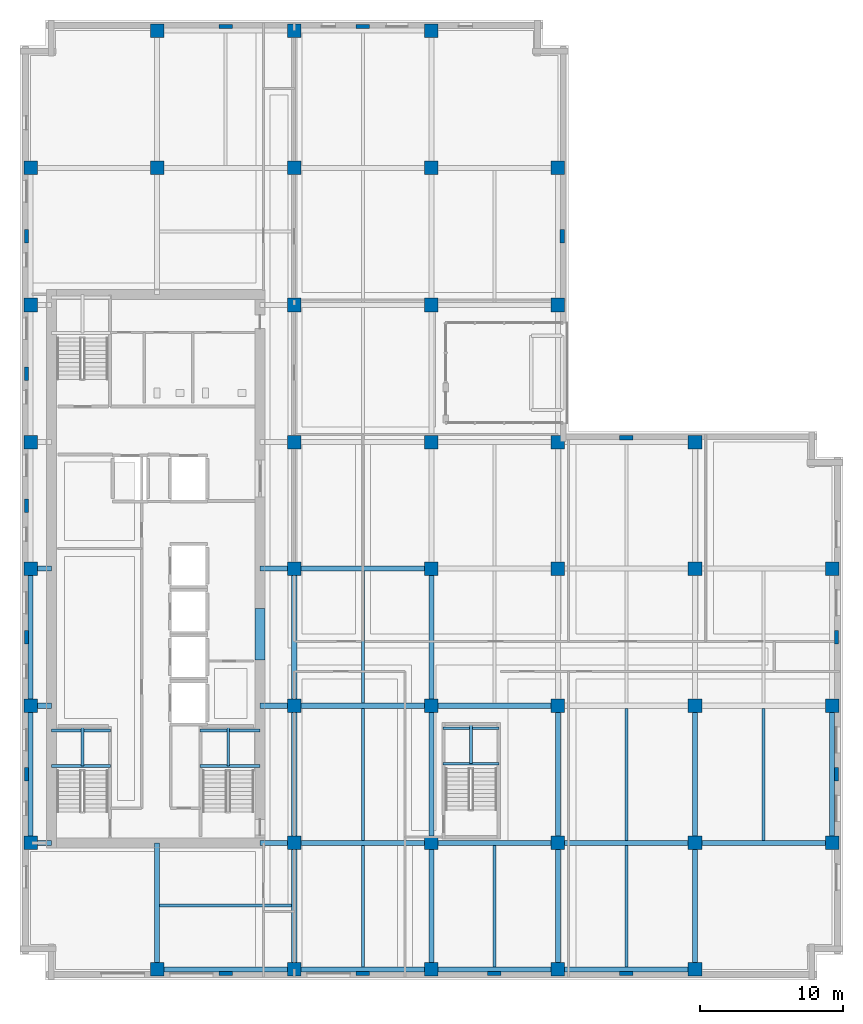
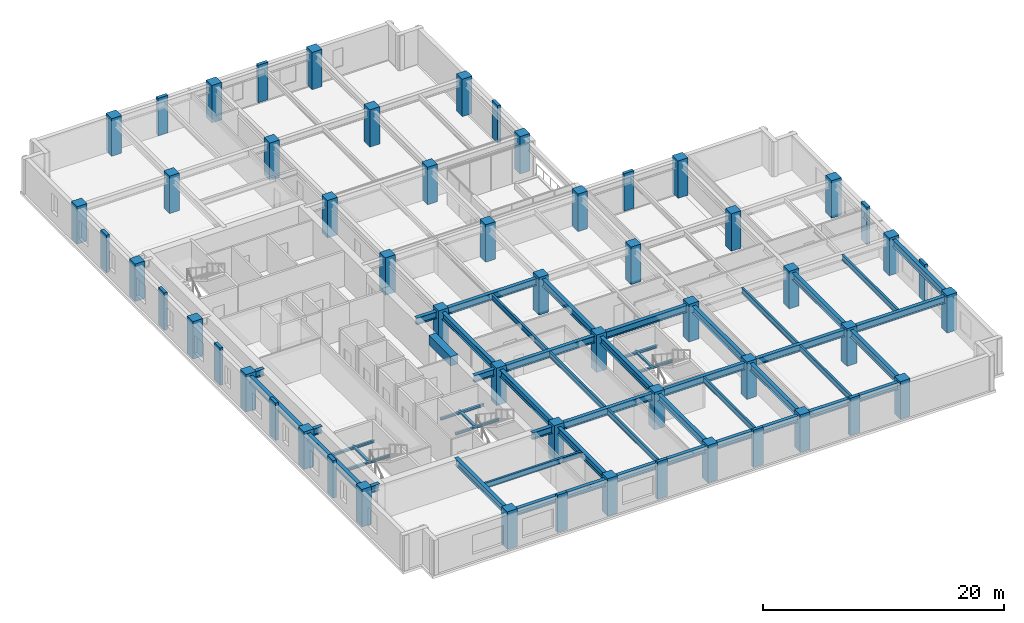
# One storey, part 1 of 16: 55 columns, 49 beams.
"""IFC4 building model written with IfcOpenShell, lengths in metres."""

from ifc_helpers import new_model, si_unit, direction, frame, origin, origin_2d, place, context, subcontext, project, spatial, rectangle, i_section, extrude, material, material_profile, profile_set, type_object, element, save


model = new_model("IFC4")

# Units and contexts
model_context = context("Model", 3, precision=1e-05, world=origin(), true_north=direction((0.0, 1.0)))
body_context = subcontext(model_context, "Body", "Model", "MODEL_VIEW")
ifc_project = project(units=[si_unit("LENGTHUNIT", "METRE"), si_unit("AREAUNIT", "SQUARE_METRE"), si_unit("VOLUMEUNIT", "CUBIC_METRE"), si_unit("PLANEANGLEUNIT", "RADIAN"), si_unit("MASSUNIT", "GRAM", prefix="KILO")], contexts=[model_context])

# Site, building, storey
site_placement = place(None, origin())
site = spatial("IfcSite", under=ifc_project, at=site_placement, CompositionType="ELEMENT")
building_placement = place(site_placement, origin())
building = spatial("IfcBuilding", under=site, at=building_placement, Name="Norrvale University Quadrangle", CompositionType="ELEMENT")
storey_placement = place(building_placement, frame((0.0, 0.0, 167.39990234375)))
storey = spatial("IfcBuildingStorey", under=building, at=storey_placement, Name="L42", CompositionType="ELEMENT", Elevation=167.39990234375)

# Columns
ifc_material_1 = material(Name="Red Manganese Brick Concrete C60/75", Category="concrete")
ifc_material_profile_1 = material_profile(ifc_material_1, rectangle(XDim=0.949951171875, YDim=0.300048828125, at=origin_2d()), Name="Red Manganese Brick Concrete C60/75")
ifc_profile_set_1 = profile_set([ifc_material_profile_1], Name="Red Manganese Brick Concrete C60/75")
column_type_1 = type_object("IfcColumnType", Name="Column Brick Pier 950x300", PredefinedType="PILASTER", material=ifc_profile_set_1)
for number, where, z_axis, x_axis, name in (
    (1, (0.449951171875, 14.39990234375, 0.0), (0.0, 0.0, 1.0), (0.0, 1.0, 0.0), "Exterior Brick Facade Pilaster L42-01"),
    (2, (0.449951171875, 24.0, 0.0), (0.0, 0.0, 1.0), (0.0, 1.0, 0.0), "Exterior Brick Facade Pilaster L42-02"),
    (3, (0.449951171875, 33.199951171875, 0.0), (0.0, 0.0, 1.0), (0.0, 1.0, 0.0), "Exterior Brick Facade Pilaster L42-03"),
    (4, (0.449951171875, 42.449951171875, 0.0), (0.0, 0.0, 1.0), (0.0, 1.0, 0.0), "Exterior Brick Facade Pilaster L42-04"),
    (5, (0.449951171875, 52.050048828125, 0.0), (0.0, 0.0, 1.0), (0.0, 1.0, 0.0), "Exterior Brick Facade Pilaster L42-05"),
    (6, (14.39990234375, 0.449951171875, 0.0), (0.0, 0.0, 1.0), (1.0, 0.0, 0.0), "Exterior Brick Facade Pilaster L42-06"),
    (7, (24.0, 0.449951171875, 0.0), (0.0, 0.0, 1.0), (1.0, 0.0, 0.0), "Exterior Brick Facade Pilaster L42-07"),
    (8, (33.199951171875, 0.449951171875, 0.0), (0.0, 0.0, 1.0), (1.0, 0.0, 0.0), "Exterior Brick Facade Pilaster L42-08"),
    (9, (42.449951171875, 0.449951171875, 0.0), (0.0, 0.0, 1.0), (1.0, 0.0, 0.0), "Exterior Brick Facade Pilaster L42-09"),
    (10, (57.14990234375, 14.39990234375, 0.0), (0.0, 0.0, 1.0), (0.0, 1.0, 0.0), "Exterior Brick Facade Pilaster L42-10"),
    (11, (57.14990234375, 24.0, 0.0), (0.0, 0.0, 1.0), (0.0, 1.0, 0.0), "Exterior Brick Facade Pilaster L42-11"),
    (12, (14.39990234375, 66.75, 0.0), (0.0, 0.0, 1.0), (1.0, 0.0, 0.0), "Exterior Brick Facade Pilaster L42-12"),
    (13, (24.0, 66.75, 0.0), (0.0, 0.0, 1.0), (1.0, 0.0, 0.0), "Exterior Brick Facade Pilaster L42-13"),
    (14, (37.949951171875, 52.050048828125, 0.0), (0.0, 0.0, 1.0), (0.0, 1.0, 0.0), "Exterior Brick Facade Pilaster L42-14"),
    (15, (42.449951171875, 37.949951171875, 0.0), (0.0, 0.0, 1.0), (1.0, 0.0, 0.0), "Exterior Brick Facade Pilaster L42-15"),
):
    element("IfcColumn", number, at=place(storey_placement, frame(where, z_axis=z_axis, x_axis=x_axis)), inside=storey, type_object=column_type_1, Name=name, PredefinedType="PILASTER", context=body_context, shape_type="SweptSolid", body=[
        extrude(rectangle(XDim=0.949951171875, YDim=0.300048828125, at=origin_2d()), origin(), (0.0, 0.0, 1.0), 3.800048828125),
    ])
ifc_material_2 = material(Name="Concrete C60/75", Category="concrete")
ifc_material_profile_2 = material_profile(ifc_material_2, rectangle(XDim=0.949951171875, YDim=0.949951171875, at=origin_2d()), Name="Concrete C60/75")
ifc_profile_set_2 = profile_set([ifc_material_profile_2], Name="Concrete C60/75")
column_type_2 = type_object("IfcColumnType", Name="Column Tower Z2 950x950", PredefinedType="COLUMN", material=ifc_profile_set_2)
for number, where, z_axis, x_axis, name in (
    (16, (0.75, 9.60009765625, 0.0), (0.0, 0.0, 1.0), (1.0, 0.0, 0.0), "Tower Column L42-T01"),
    (17, (0.75, 19.199951171875, 0.0), (0.0, 0.0, 1.0), (1.0, 0.0, 0.0), "Tower Column L42-T02"),
    (18, (0.75, 28.800048828125, 0.0), (0.0, 0.0, 1.0), (1.0, 0.0, 0.0), "Tower Column L42-T03"),
    (19, (0.75, 37.64990234375, 0.0), (0.0, 0.0, 1.0), (1.0, 0.0, 0.0), "Tower Column L42-T04"),
    (20, (0.75, 47.25, 0.0), (0.0, 0.0, 1.0), (1.0, 0.0, 0.0), "Tower Column L42-T05"),
    (21, (0.75, 56.85009765625, 0.0), (0.0, 0.0, 1.0), (1.0, 0.0, 0.0), "Tower Column L42-T06"),
    (22, (9.60009765625, 0.75, 0.0), (0.0, 0.0, 1.0), (1.0, 0.0, 0.0), "Tower Column L42-T07"),
    (23, (9.60009765625, 56.85009765625, 0.0), (0.0, 0.0, 1.0), (1.0, 0.0, 0.0), "Tower Column L42-T08"),
    (24, (9.60009765625, 66.449951171875, 0.0), (0.0, 0.0, 1.0), (1.0, 0.0, 0.0), "Tower Column L42-T09"),
    (25, (19.199951171875, 0.75, 0.0), (0.0, 0.0, 1.0), (1.0, 0.0, 0.0), "Tower Column L42-T10"),
    (26, (19.199951171875, 9.60009765625, 0.0), (0.0, 0.0, 1.0), (1.0, 0.0, 0.0), "Tower Column L42-T11"),
    (27, (19.199951171875, 19.199951171875, 0.0), (0.0, 0.0, 1.0), (1.0, 0.0, 0.0), "Tower Column L42-T12"),
    (28, (19.199951171875, 28.800048828125, 0.0), (0.0, 0.0, 1.0), (1.0, 0.0, 0.0), "Tower Column L42-T13"),
    (29, (19.199951171875, 37.64990234375, 0.0), (0.0, 0.0, 1.0), (1.0, 0.0, 0.0), "Tower Column L42-T14"),
    (30, (19.199951171875, 47.25, 0.0), (0.0, 0.0, 1.0), (1.0, 0.0, 0.0), "Tower Column L42-T15"),
    (31, (19.199951171875, 56.85009765625, 0.0), (0.0, 0.0, 1.0), (1.0, 0.0, 0.0), "Tower Column L42-T16"),
    (32, (19.199951171875, 66.449951171875, 0.0), (0.0, 0.0, 1.0), (1.0, 0.0, 0.0), "Tower Column L42-T17"),
    (33, (28.800048828125, 0.75, 0.0), (0.0, 0.0, 1.0), (1.0, 0.0, 0.0), "Tower Column L42-T18"),
    (34, (28.800048828125, 9.60009765625, 0.0), (0.0, 0.0, 1.0), (1.0, 0.0, 0.0), "Tower Column L42-T19"),
    (35, (28.800048828125, 19.199951171875, 0.0), (0.0, 0.0, 1.0), (1.0, 0.0, 0.0), "Tower Column L42-T20"),
    (36, (28.800048828125, 28.800048828125, 0.0), (0.0, 0.0, 1.0), (1.0, 0.0, 0.0), "Tower Column L42-T21"),
    (37, (28.800048828125, 37.64990234375, 0.0), (0.0, 0.0, 1.0), (1.0, 0.0, 0.0), "Tower Column L42-T22"),
    (38, (28.800048828125, 47.25, 0.0), (0.0, 0.0, 1.0), (1.0, 0.0, 0.0), "Tower Column L42-T23"),
    (39, (28.800048828125, 56.85009765625, 0.0), (0.0, 0.0, 1.0), (1.0, 0.0, 0.0), "Tower Column L42-T24"),
    (40, (28.800048828125, 66.449951171875, 0.0), (0.0, 0.0, 1.0), (1.0, 0.0, 0.0), "Tower Column L42-T25"),
    (41, (37.64990234375, 0.75, 0.0), (0.0, 0.0, 1.0), (1.0, 0.0, 0.0), "Tower Column L42-T26"),
    (42, (37.64990234375, 9.60009765625, 0.0), (0.0, 0.0, 1.0), (1.0, 0.0, 0.0), "Tower Column L42-T27"),
    (43, (37.64990234375, 19.199951171875, 0.0), (0.0, 0.0, 1.0), (1.0, 0.0, 0.0), "Tower Column L42-T28"),
    (44, (37.64990234375, 28.800048828125, 0.0), (0.0, 0.0, 1.0), (1.0, 0.0, 0.0), "Tower Column L42-T29"),
    (45, (37.64990234375, 37.64990234375, 0.0), (0.0, 0.0, 1.0), (1.0, 0.0, 0.0), "Tower Column L42-T30"),
    (46, (37.64990234375, 47.25, 0.0), (0.0, 0.0, 1.0), (1.0, 0.0, 0.0), "Tower Column L42-T31"),
    (47, (37.64990234375, 56.85009765625, 0.0), (0.0, 0.0, 1.0), (1.0, 0.0, 0.0), "Tower Column L42-T32"),
    (48, (47.25, 0.75, 0.0), (0.0, 0.0, 1.0), (1.0, 0.0, 0.0), "Tower Column L42-T33"),
    (49, (47.25, 9.60009765625, 0.0), (0.0, 0.0, 1.0), (1.0, 0.0, 0.0), "Tower Column L42-T34"),
    (50, (47.25, 19.199951171875, 0.0), (0.0, 0.0, 1.0), (1.0, 0.0, 0.0), "Tower Column L42-T35"),
    (51, (47.25, 28.800048828125, 0.0), (0.0, 0.0, 1.0), (1.0, 0.0, 0.0), "Tower Column L42-T36"),
    (52, (47.25, 37.64990234375, 0.0), (0.0, 0.0, 1.0), (1.0, 0.0, 0.0), "Tower Column L42-T37"),
    (53, (56.85009765625, 9.60009765625, 0.0), (0.0, 0.0, 1.0), (1.0, 0.0, 0.0), "Tower Column L42-T38"),
    (54, (56.85009765625, 19.199951171875, 0.0), (0.0, 0.0, 1.0), (1.0, 0.0, 0.0), "Tower Column L42-T39"),
    (55, (56.85009765625, 28.800048828125, 0.0), (0.0, 0.0, 1.0), (1.0, 0.0, 0.0), "Tower Column L42-T40"),
):
    element("IfcColumn", number, at=place(storey_placement, frame(where, z_axis=z_axis, x_axis=x_axis)), inside=storey, type_object=column_type_2, Name=name, PredefinedType="COLUMN", context=body_context, shape_type="SweptSolid", body=[
        extrude(rectangle(XDim=0.949951171875, YDim=0.949951171875, at=origin_2d()), origin(), (0.0, 0.0, 1.0), 3.800048828125),
    ])

# Beams
ifc_material_3 = material(Name="Steel 350W", Category="steel")
ifc_material_profile_3 = material_profile(ifc_material_3, i_section(OverallWidth=0.35498046875, OverallDepth=0.695068359375, WebThickness=0.015380859375, FlangeThickness=0.02490234375, FilletRadius=0.01806640625, at=origin_2d()), Name="Steel 350W")
ifc_profile_set_3 = profile_set([ifc_material_profile_3], Name="Steel 350W")
beam_type_1 = type_object("IfcBeamType", Name="Beam Belt W690x217", PredefinedType="BEAM", material=ifc_profile_set_3)
beam_1_placement = place(storey_placement, frame((9.60009765625, 0.75, 3.192626953125), z_axis=(1.0, 0.0, 0.0), x_axis=(0.0, 1.0, 0.0)))
element("IfcBeam", 56, at=beam_1_placement, inside=storey, type_object=beam_type_1, Name="Beam Belt W690x217 BM-L42-GX001", PredefinedType="BEAM", context=body_context, shape_type="SweptSolid", body=[
    extrude(i_section(OverallWidth=0.35498046875, OverallDepth=0.695068359375, WebThickness=0.015380859375, FlangeThickness=0.02490234375, FilletRadius=0.01806640625, at=origin_2d()), origin(), (0.0, 0.0, 1.0), 9.599853515625),
])
beam_2_placement = place(storey_placement, frame((19.199951171875, 0.75, 3.192626953125), z_axis=(1.0, 0.0, 0.0), x_axis=(0.0, 1.0, 0.0)))
element("IfcBeam", 57, at=beam_2_placement, inside=storey, type_object=beam_type_1, Name="Beam Belt W690x217 BM-L42-GX002", PredefinedType="BEAM", context=body_context, shape_type="SweptSolid", body=[
    extrude(i_section(OverallWidth=0.35498046875, OverallDepth=0.695068359375, WebThickness=0.015380859375, FlangeThickness=0.02490234375, FilletRadius=0.01806640625, at=origin_2d()), origin(), (0.0, 0.0, 1.0), 9.60009765625),
])
beam_3_placement = place(storey_placement, frame((28.800048828125, 0.75, 3.192626953125), z_axis=(1.0, 0.0, 0.0), x_axis=(0.0, 1.0, 0.0)))
element("IfcBeam", 58, at=beam_3_placement, inside=storey, type_object=beam_type_1, Name="Beam Belt W690x217 BM-L42-GX003", PredefinedType="BEAM", context=body_context, shape_type="SweptSolid", body=[
    extrude(i_section(OverallWidth=0.35498046875, OverallDepth=0.695068359375, WebThickness=0.015380859375, FlangeThickness=0.02490234375, FilletRadius=0.01806640625, at=origin_2d()), origin(), (0.0, 0.0, 1.0), 8.849853515625),
])
for number, where, z_axis, x_axis, name in (
    (59, (37.64990234375, 0.75, 3.192626953125), (1.0, 0.0, 0.0), (0.0, 1.0, 0.0), "Beam Belt W690x217 BM-L42-GX004"),
    (60, (19.199951171875, 9.60009765625, 3.192626953125), (1.0, 0.0, 0.0), (0.0, 1.0, 0.0), "Beam Belt W690x217 BM-L42-GX005"),
):
    element("IfcBeam", number, at=place(storey_placement, frame(where, z_axis=z_axis, x_axis=x_axis)), inside=storey, type_object=beam_type_1, Name=name, PredefinedType="BEAM", context=body_context, shape_type="SweptSolid", body=[
        extrude(i_section(OverallWidth=0.35498046875, OverallDepth=0.695068359375, WebThickness=0.015380859375, FlangeThickness=0.02490234375, FilletRadius=0.01806640625, at=origin_2d()), origin(), (0.0, 0.0, 1.0), 9.60009765625),
    ])
beam_4_placement = place(storey_placement, frame((28.800048828125, 9.60009765625, 3.192626953125), z_axis=(1.0, 0.0, 0.0), x_axis=(0.0, 1.0, 0.0)))
element("IfcBeam", 61, at=beam_4_placement, inside=storey, type_object=beam_type_1, Name="Beam Belt W690x217 BM-L42-GX006", PredefinedType="BEAM", context=body_context, shape_type="SweptSolid", body=[
    extrude(i_section(OverallWidth=0.35498046875, OverallDepth=0.695068359375, WebThickness=0.015380859375, FlangeThickness=0.02490234375, FilletRadius=0.01806640625, at=origin_2d()), origin(), (0.0, 0.0, 1.0), 8.849853515625),
])
for number, where, z_axis, x_axis, name in (
    (62, (37.64990234375, 9.60009765625, 3.192626953125), (1.0, 0.0, 0.0), (0.0, 1.0, 0.0), "Beam Belt W690x217 BM-L42-GX007"),
    (63, (47.25, 9.60009765625, 3.192626953125), (1.0, 0.0, 0.0), (0.0, 1.0, 0.0), "Beam Belt W690x217 BM-L42-GX008"),
    (64, (19.199951171875, 19.199951171875, 3.192626953125), (1.0, 0.0, 0.0), (0.0, 1.0, 0.0), "Beam Belt W690x217 BM-L42-GX009"),
):
    element("IfcBeam", number, at=place(storey_placement, frame(where, z_axis=z_axis, x_axis=x_axis)), inside=storey, type_object=beam_type_1, Name=name, PredefinedType="BEAM", context=body_context, shape_type="SweptSolid", body=[
        extrude(i_section(OverallWidth=0.35498046875, OverallDepth=0.695068359375, WebThickness=0.015380859375, FlangeThickness=0.02490234375, FilletRadius=0.01806640625, at=origin_2d()), origin(), (0.0, 0.0, 1.0), 9.60009765625),
    ])
beam_5_placement = place(storey_placement, frame((28.800048828125, 19.199951171875, 3.192626953125), z_axis=(1.0, 0.0, 0.0), x_axis=(0.0, 1.0, 0.0)))
element("IfcBeam", 65, at=beam_5_placement, inside=storey, type_object=beam_type_1, Name="Beam Belt W690x217 BM-L42-GX010", PredefinedType="BEAM", context=body_context, shape_type="SweptSolid", body=[
    extrude(i_section(OverallWidth=0.35498046875, OverallDepth=0.695068359375, WebThickness=0.015380859375, FlangeThickness=0.02490234375, FilletRadius=0.01806640625, at=origin_2d()), origin(), (0.0, 0.0, 1.0), 8.849853515625),
])
beam_6_placement = place(storey_placement, frame((19.199951171875, 28.800048828125, 3.192626953125), z_axis=(1.0, 0.0, 0.0), x_axis=(0.0, 1.0, 0.0)))
element("IfcBeam", 66, at=beam_6_placement, inside=storey, type_object=beam_type_1, Name="Beam Belt W690x217 BM-L42-GX013", PredefinedType="BEAM", context=body_context, shape_type="SweptSolid", body=[
    extrude(i_section(OverallWidth=0.35498046875, OverallDepth=0.695068359375, WebThickness=0.015380859375, FlangeThickness=0.02490234375, FilletRadius=0.01806640625, at=origin_2d()), origin(), (0.0, 0.0, 1.0), 9.60009765625),
])
beam_7_placement = place(storey_placement, frame((0.75, 9.60009765625, 3.192626953125), z_axis=(0.0, 1.0, 0.0), x_axis=(-1.0, 0.0, 0.0)))
element("IfcBeam", 67, at=beam_7_placement, inside=storey, type_object=beam_type_1, Name="Beam Belt W690x217 BM-L42-GY028", PredefinedType="BEAM", context=body_context, shape_type="SweptSolid", body=[
    extrude(i_section(OverallWidth=0.35498046875, OverallDepth=0.695068359375, WebThickness=0.015380859375, FlangeThickness=0.02490234375, FilletRadius=0.01806640625, at=origin_2d()), origin(), (0.0, 0.0, 1.0), 9.599853515625),
])
beam_8_placement = place(storey_placement, frame((0.75, 19.199951171875, 3.192626953125), z_axis=(0.0, 1.0, 0.0), x_axis=(-1.0, 0.0, 0.0)))
element("IfcBeam", 68, at=beam_8_placement, inside=storey, type_object=beam_type_1, Name="Beam Belt W690x217 BM-L42-GY029", PredefinedType="BEAM", context=body_context, shape_type="SweptSolid", body=[
    extrude(i_section(OverallWidth=0.35498046875, OverallDepth=0.695068359375, WebThickness=0.015380859375, FlangeThickness=0.02490234375, FilletRadius=0.01806640625, at=origin_2d()), origin(), (0.0, 0.0, 1.0), 9.60009765625),
])
beam_9_placement = place(storey_placement, frame((19.199951171875, 0.75, 3.192626953125), z_axis=(0.0, 1.0, 0.0), x_axis=(-1.0, 0.0, 0.0)))
element("IfcBeam", 69, at=beam_9_placement, inside=storey, type_object=beam_type_1, Name="Beam Belt W690x217 BM-L42-GY034", PredefinedType="BEAM", context=body_context, shape_type="SweptSolid", body=[
    extrude(i_section(OverallWidth=0.35498046875, OverallDepth=0.695068359375, WebThickness=0.015380859375, FlangeThickness=0.02490234375, FilletRadius=0.01806640625, at=origin_2d()), origin(), (0.0, 0.0, 1.0), 8.85009765625),
])
beam_10_placement = place(storey_placement, frame((19.199951171875, 9.60009765625, 3.192626953125), z_axis=(0.0, 1.0, 0.0), x_axis=(-1.0, 0.0, 0.0)))
element("IfcBeam", 70, at=beam_10_placement, inside=storey, type_object=beam_type_1, Name="Beam Belt W690x217 BM-L42-GY035", PredefinedType="BEAM", context=body_context, shape_type="SweptSolid", body=[
    extrude(i_section(OverallWidth=0.35498046875, OverallDepth=0.695068359375, WebThickness=0.015380859375, FlangeThickness=0.02490234375, FilletRadius=0.01806640625, at=origin_2d()), origin(), (0.0, 0.0, 1.0), 9.599853515625),
])
beam_11_placement = place(storey_placement, frame((19.199951171875, 19.199951171875, 3.192626953125), z_axis=(0.0, 1.0, 0.0), x_axis=(-1.0, 0.0, 0.0)))
element("IfcBeam", 71, at=beam_11_placement, inside=storey, type_object=beam_type_1, Name="Beam Belt W690x217 BM-L42-GY036", PredefinedType="BEAM", context=body_context, shape_type="SweptSolid", body=[
    extrude(i_section(OverallWidth=0.35498046875, OverallDepth=0.695068359375, WebThickness=0.015380859375, FlangeThickness=0.02490234375, FilletRadius=0.01806640625, at=origin_2d()), origin(), (0.0, 0.0, 1.0), 9.60009765625),
])
beam_12_placement = place(storey_placement, frame((28.800048828125, 0.75, 3.192626953125), z_axis=(0.0, 1.0, 0.0), x_axis=(-1.0, 0.0, 0.0)))
element("IfcBeam", 72, at=beam_12_placement, inside=storey, type_object=beam_type_1, Name="Beam Belt W690x217 BM-L42-GY041", PredefinedType="BEAM", context=body_context, shape_type="SweptSolid", body=[
    extrude(i_section(OverallWidth=0.35498046875, OverallDepth=0.695068359375, WebThickness=0.015380859375, FlangeThickness=0.02490234375, FilletRadius=0.01806640625, at=origin_2d()), origin(), (0.0, 0.0, 1.0), 8.85009765625),
])
beam_13_placement = place(storey_placement, frame((28.800048828125, 9.60009765625, 3.192626953125), z_axis=(0.0, 1.0, 0.0), x_axis=(-1.0, 0.0, 0.0)))
element("IfcBeam", 73, at=beam_13_placement, inside=storey, type_object=beam_type_1, Name="Beam Belt W690x217 BM-L42-GY042", PredefinedType="BEAM", context=body_context, shape_type="SweptSolid", body=[
    extrude(i_section(OverallWidth=0.35498046875, OverallDepth=0.695068359375, WebThickness=0.015380859375, FlangeThickness=0.02490234375, FilletRadius=0.01806640625, at=origin_2d()), origin(), (0.0, 0.0, 1.0), 9.599853515625),
])
beam_14_placement = place(storey_placement, frame((28.800048828125, 19.199951171875, 3.192626953125), z_axis=(0.0, 1.0, 0.0), x_axis=(-1.0, 0.0, 0.0)))
element("IfcBeam", 74, at=beam_14_placement, inside=storey, type_object=beam_type_1, Name="Beam Belt W690x217 BM-L42-GY043", PredefinedType="BEAM", context=body_context, shape_type="SweptSolid", body=[
    extrude(i_section(OverallWidth=0.35498046875, OverallDepth=0.695068359375, WebThickness=0.015380859375, FlangeThickness=0.02490234375, FilletRadius=0.01806640625, at=origin_2d()), origin(), (0.0, 0.0, 1.0), 9.60009765625),
])
beam_15_placement = place(storey_placement, frame((37.64990234375, 0.75, 3.192626953125), z_axis=(0.0, 1.0, 0.0), x_axis=(-1.0, 0.0, 0.0)))
element("IfcBeam", 75, at=beam_15_placement, inside=storey, type_object=beam_type_1, Name="Beam Belt W690x217 BM-L42-GY048", PredefinedType="BEAM", context=body_context, shape_type="SweptSolid", body=[
    extrude(i_section(OverallWidth=0.35498046875, OverallDepth=0.695068359375, WebThickness=0.015380859375, FlangeThickness=0.02490234375, FilletRadius=0.01806640625, at=origin_2d()), origin(), (0.0, 0.0, 1.0), 8.85009765625),
])
beam_16_placement = place(storey_placement, frame((37.64990234375, 9.60009765625, 3.192626953125), z_axis=(0.0, 1.0, 0.0), x_axis=(-1.0, 0.0, 0.0)))
element("IfcBeam", 76, at=beam_16_placement, inside=storey, type_object=beam_type_1, Name="Beam Belt W690x217 BM-L42-GY049", PredefinedType="BEAM", context=body_context, shape_type="SweptSolid", body=[
    extrude(i_section(OverallWidth=0.35498046875, OverallDepth=0.695068359375, WebThickness=0.015380859375, FlangeThickness=0.02490234375, FilletRadius=0.01806640625, at=origin_2d()), origin(), (0.0, 0.0, 1.0), 9.599853515625),
])
beam_17_placement = place(storey_placement, frame((47.25, 0.75, 3.192626953125), z_axis=(0.0, 1.0, 0.0), x_axis=(-1.0, 0.0, 0.0)))
element("IfcBeam", 77, at=beam_17_placement, inside=storey, type_object=beam_type_1, Name="Beam Belt W690x217 BM-L42-GY054", PredefinedType="BEAM", context=body_context, shape_type="SweptSolid", body=[
    extrude(i_section(OverallWidth=0.35498046875, OverallDepth=0.695068359375, WebThickness=0.015380859375, FlangeThickness=0.02490234375, FilletRadius=0.01806640625, at=origin_2d()), origin(), (0.0, 0.0, 1.0), 8.85009765625),
])
for number, where, z_axis, x_axis, name in (
    (78, (47.25, 9.60009765625, 3.192626953125), (0.0, 1.0, 0.0), (-1.0, 0.0, 0.0), "Beam Belt W690x217 BM-L42-GY055"),
    (79, (56.85009765625, 9.60009765625, 3.192626953125), (0.0, 1.0, 0.0), (-1.0, 0.0, 0.0), "Beam Belt W690x217 BM-L42-GY058"),
):
    element("IfcBeam", number, at=place(storey_placement, frame(where, z_axis=z_axis, x_axis=x_axis)), inside=storey, type_object=beam_type_1, Name=name, PredefinedType="BEAM", context=body_context, shape_type="SweptSolid", body=[
        extrude(i_section(OverallWidth=0.35498046875, OverallDepth=0.695068359375, WebThickness=0.015380859375, FlangeThickness=0.02490234375, FilletRadius=0.01806640625, at=origin_2d()), origin(), (0.0, 0.0, 1.0), 9.599853515625),
    ])
beam_18_placement = place(storey_placement, frame((0.75, 9.60009765625, 3.192626953125), z_axis=(1.0, 0.0, 0.0), x_axis=(0.0, 1.0, 0.0)))
element("IfcBeam", 80, at=beam_18_placement, inside=storey, type_object=beam_type_1, Name="Beam Belt W690x217 BM-L42-GCW060", PredefinedType="BEAM", context=body_context, shape_type="SweptSolid", body=[
    extrude(i_section(OverallWidth=0.35498046875, OverallDepth=0.695068359375, WebThickness=0.015380859375, FlangeThickness=0.02490234375, FilletRadius=0.01806640625, at=origin_2d()), origin(), (0.0, 0.0, 1.0), 1.449951171875),
])
beam_19_placement = place(storey_placement, frame((16.800048828125, 9.60009765625, 3.192626953125), z_axis=(1.0, 0.0, 0.0), x_axis=(0.0, 1.0, 0.0)))
element("IfcBeam", 81, at=beam_19_placement, inside=storey, type_object=beam_type_1, Name="Beam Belt W690x217 BM-L42-GCE061", PredefinedType="BEAM", context=body_context, shape_type="SweptSolid", body=[
    extrude(i_section(OverallWidth=0.35498046875, OverallDepth=0.695068359375, WebThickness=0.015380859375, FlangeThickness=0.02490234375, FilletRadius=0.01806640625, at=origin_2d()), origin(), (0.0, 0.0, 1.0), 2.39990234375),
])
beam_20_placement = place(storey_placement, frame((0.75, 19.199951171875, 3.192626953125), z_axis=(1.0, 0.0, 0.0), x_axis=(0.0, 1.0, 0.0)))
element("IfcBeam", 82, at=beam_20_placement, inside=storey, type_object=beam_type_1, Name="Beam Belt W690x217 BM-L42-GCW062", PredefinedType="BEAM", context=body_context, shape_type="SweptSolid", body=[
    extrude(i_section(OverallWidth=0.35498046875, OverallDepth=0.695068359375, WebThickness=0.015380859375, FlangeThickness=0.02490234375, FilletRadius=0.01806640625, at=origin_2d()), origin(), (0.0, 0.0, 1.0), 1.449951171875),
])
beam_21_placement = place(storey_placement, frame((16.800048828125, 19.199951171875, 3.192626953125), z_axis=(1.0, 0.0, 0.0), x_axis=(0.0, 1.0, 0.0)))
element("IfcBeam", 83, at=beam_21_placement, inside=storey, type_object=beam_type_1, Name="Beam Belt W690x217 BM-L42-GCE063", PredefinedType="BEAM", context=body_context, shape_type="SweptSolid", body=[
    extrude(i_section(OverallWidth=0.35498046875, OverallDepth=0.695068359375, WebThickness=0.015380859375, FlangeThickness=0.02490234375, FilletRadius=0.01806640625, at=origin_2d()), origin(), (0.0, 0.0, 1.0), 2.39990234375),
])
beam_22_placement = place(storey_placement, frame((0.75, 28.800048828125, 3.192626953125), z_axis=(1.0, 0.0, 0.0), x_axis=(0.0, 1.0, 0.0)))
element("IfcBeam", 84, at=beam_22_placement, inside=storey, type_object=beam_type_1, Name="Beam Belt W690x217 BM-L42-GCW064", PredefinedType="BEAM", context=body_context, shape_type="SweptSolid", body=[
    extrude(i_section(OverallWidth=0.35498046875, OverallDepth=0.695068359375, WebThickness=0.015380859375, FlangeThickness=0.02490234375, FilletRadius=0.01806640625, at=origin_2d()), origin(), (0.0, 0.0, 1.0), 1.449951171875),
])
beam_23_placement = place(storey_placement, frame((16.800048828125, 28.800048828125, 3.192626953125), z_axis=(1.0, 0.0, 0.0), x_axis=(0.0, 1.0, 0.0)))
element("IfcBeam", 85, at=beam_23_placement, inside=storey, type_object=beam_type_1, Name="Beam Belt W690x217 BM-L42-GCE065", PredefinedType="BEAM", context=body_context, shape_type="SweptSolid", body=[
    extrude(i_section(OverallWidth=0.35498046875, OverallDepth=0.695068359375, WebThickness=0.015380859375, FlangeThickness=0.02490234375, FilletRadius=0.01806640625, at=origin_2d()), origin(), (0.0, 0.0, 1.0), 2.39990234375),
])
beam_24_placement = place(storey_placement, frame((9.60009765625, 0.75, 3.192626953125), z_axis=(0.0, 1.0, 0.0), x_axis=(-1.0, 0.0, 0.0)))
element("IfcBeam", 86, at=beam_24_placement, inside=storey, type_object=beam_type_1, Name="Beam Belt W690x217 BM-L42-GCS088", PredefinedType="BEAM", context=body_context, shape_type="SweptSolid", body=[
    extrude(i_section(OverallWidth=0.35498046875, OverallDepth=0.695068359375, WebThickness=0.015380859375, FlangeThickness=0.02490234375, FilletRadius=0.01806640625, at=origin_2d()), origin(), (0.0, 0.0, 1.0), 8.85009765625),
])
ifc_material_4 = material(Name="Concrete C80/95", Category="concrete")
ifc_material_profile_4 = material_profile(ifc_material_4, rectangle(XDim=0.699951171875, YDim=0.949951171875, at=origin_2d()), Name="Concrete C80/95")
ifc_profile_set_4 = profile_set([ifc_material_profile_4], Name="Concrete C80/95")
beam_type_2 = type_object("IfcBeamType", Name="Beam Core Link 700x950", PredefinedType="LINTEL", material=ifc_profile_set_4)
beam_25_placement = place(storey_placement, frame((16.800048828125, 22.39990234375, 3.065185546875), z_axis=(0.0, 1.0, 0.0), x_axis=(-1.0, 0.0, 0.0)))
element("IfcBeam", 87, at=beam_25_placement, inside=storey, type_object=beam_type_2, Name="Core Coupling Lintel Beam L42-1", PredefinedType="LINTEL", context=body_context, shape_type="SweptSolid", body=[
    extrude(rectangle(XDim=0.699951171875, YDim=0.949951171875, at=origin_2d()), origin(), (0.0, 0.0, 1.0), 3.60009765625),
])
ifc_material_profile_5 = material_profile(ifc_material_3, i_section(OverallWidth=0.2119140625, OverallDepth=0.5439453125, WebThickness=0.01318359375, FlangeThickness=0.021240234375, FilletRadius=0.013916015625, at=origin_2d()), Name="Steel 350W")
ifc_profile_set_5 = profile_set([ifc_material_profile_5], Name="Steel 350W")
beam_type_3 = type_object("IfcBeamType", Name="Beam Floor W530x123", PredefinedType="BEAM", material=ifc_profile_set_5)
beam_26_placement = place(storey_placement, frame((24.0, 0.927490234375, 3.26806640625), z_axis=(0.0, 1.0, 0.0), x_axis=(-1.0, 0.0, 0.0)))
element("IfcBeam", 88, at=beam_26_placement, inside=storey, type_object=beam_type_3, Name="Beam Floor W530x123 BM-L42-J071", PredefinedType="BEAM", context=body_context, shape_type="SweptSolid", body=[
    extrude(i_section(OverallWidth=0.2119140625, OverallDepth=0.5439453125, WebThickness=0.01318359375, FlangeThickness=0.021240234375, FilletRadius=0.013916015625, at=origin_2d()), origin(), (0.0, 0.0, 1.0), 8.4951171875),
])
beam_27_placement = place(storey_placement, frame((24.0, 9.777587890625, 3.26806640625), z_axis=(0.0, 1.0, 0.0), x_axis=(-1.0, 0.0, 0.0)))
element("IfcBeam", 89, at=beam_27_placement, inside=storey, type_object=beam_type_3, Name="Beam Floor W530x123 BM-L42-J072", PredefinedType="BEAM", context=body_context, shape_type="SweptSolid", body=[
    extrude(i_section(OverallWidth=0.2119140625, OverallDepth=0.5439453125, WebThickness=0.01318359375, FlangeThickness=0.021240234375, FilletRadius=0.013916015625, at=origin_2d()), origin(), (0.0, 0.0, 1.0), 9.244873046875),
])
beam_28_placement = place(storey_placement, frame((24.0, 19.37744140625, 3.26806640625), z_axis=(0.0, 1.0, 0.0), x_axis=(-1.0, 0.0, 0.0)))
element("IfcBeam", 90, at=beam_28_placement, inside=storey, type_object=beam_type_3, Name="Beam Floor W530x123 BM-L42-J073", PredefinedType="BEAM", context=body_context, shape_type="SweptSolid", body=[
    extrude(i_section(OverallWidth=0.2119140625, OverallDepth=0.5439453125, WebThickness=0.01318359375, FlangeThickness=0.021240234375, FilletRadius=0.013916015625, at=origin_2d()), origin(), (0.0, 0.0, 1.0), 9.2451171875),
])
for number, where, z_axis, x_axis, name in (
    (91, (33.22509765625, 0.927490234375, 3.26806640625), (0.0, 1.0, 0.0), (-1.0, 0.0, 0.0), "Beam Floor W530x123 BM-L42-J078"),
    (92, (42.449951171875, 0.927490234375, 3.26806640625), (0.0, 1.0, 0.0), (-1.0, 0.0, 0.0), "Beam Floor W530x123 BM-L42-J082"),
):
    element("IfcBeam", number, at=place(storey_placement, frame(where, z_axis=z_axis, x_axis=x_axis)), inside=storey, type_object=beam_type_3, Name=name, PredefinedType="BEAM", context=body_context, shape_type="SweptSolid", body=[
        extrude(i_section(OverallWidth=0.2119140625, OverallDepth=0.5439453125, WebThickness=0.01318359375, FlangeThickness=0.021240234375, FilletRadius=0.013916015625, at=origin_2d()), origin(), (0.0, 0.0, 1.0), 8.4951171875),
    ])
for number, where, z_axis, x_axis, name in (
    (93, (42.449951171875, 9.777587890625, 3.26806640625), (0.0, 1.0, 0.0), (-1.0, 0.0, 0.0), "Beam Floor W530x123 BM-L42-J083"),
    (94, (52.050048828125, 9.777587890625, 3.26806640625), (0.0, 1.0, 0.0), (-1.0, 0.0, 0.0), "Beam Floor W530x123 BM-L42-J086"),
    (95, (9.777587890625, 5.199951171875, 3.26806640625), (1.0, 0.0, 0.0), (0.0, 1.0, 0.0), "Beam Floor W530x123 BM-L42-JCS089"),
):
    element("IfcBeam", number, at=place(storey_placement, frame(where, z_axis=z_axis, x_axis=x_axis)), inside=storey, type_object=beam_type_3, Name=name, PredefinedType="BEAM", context=body_context, shape_type="SweptSolid", body=[
        extrude(i_section(OverallWidth=0.2119140625, OverallDepth=0.5439453125, WebThickness=0.01318359375, FlangeThickness=0.021240234375, FilletRadius=0.013916015625, at=origin_2d()), origin(), (0.0, 0.0, 1.0), 9.244873046875),
    ])
ifc_material_profile_6 = material_profile(ifc_material_3, i_section(OverallWidth=0.201904296875, OverallDepth=0.2470703125, WebThickness=0.00732421875, FlangeThickness=0.010986328125, FilletRadius=0.011962890625, at=origin_2d()), Name="Steel 350W")
ifc_profile_set_6 = profile_set([ifc_material_profile_6], Name="Steel 350W")
beam_type_4 = type_object("IfcBeamType", Name="Beam Stair W250x49", PredefinedType="BEAM", material=ifc_profile_set_6)
for number, where, z_axis, x_axis, name in (
    (96, (2.199951171875, 14.989990234375, 1.57666015625), (1.0, 0.0, 0.0), (0.0, 1.0, 0.0), "Stair Mid-Landing Front Beam ST-01 L42"),
    (97, (2.199951171875, 17.469970703125, 1.57666015625), (1.0, 0.0, 0.0), (0.0, 1.0, 0.0), "Stair Mid-Landing Rear Beam ST-01 L42"),
):
    element("IfcBeam", number, at=place(storey_placement, frame(where, z_axis=z_axis, x_axis=x_axis)), inside=storey, type_object=beam_type_4, Name=name, PredefinedType="BEAM", context=body_context, shape_type="SweptSolid", body=[
        extrude(i_section(OverallWidth=0.201904296875, OverallDepth=0.2470703125, WebThickness=0.00732421875, FlangeThickness=0.010986328125, FilletRadius=0.011962890625, at=origin_2d()), origin(), (0.0, 0.0, 1.0), 4.14013671875),
    ])
for number, where, z_axis, x_axis, name in (
    (98, (12.610107421875, 14.989990234375, 1.57666015625), (1.0, 0.0, 0.0), (0.0, 1.0, 0.0), "Stair Mid-Landing Front Beam ST-03 L42"),
    (99, (12.610107421875, 17.469970703125, 1.57666015625), (1.0, 0.0, 0.0), (0.0, 1.0, 0.0), "Stair Mid-Landing Rear Beam ST-03 L42"),
):
    element("IfcBeam", number, at=place(storey_placement, frame(where, z_axis=z_axis, x_axis=x_axis)), inside=storey, type_object=beam_type_4, Name=name, PredefinedType="BEAM", context=body_context, shape_type="SweptSolid", body=[
        extrude(i_section(OverallWidth=0.201904296875, OverallDepth=0.2470703125, WebThickness=0.00732421875, FlangeThickness=0.010986328125, FilletRadius=0.011962890625, at=origin_2d()), origin(), (0.0, 0.0, 1.0), 4.18994140625),
    ])
for number, where, z_axis, x_axis, name in (
    (100, (29.610107421875, 15.139892578125, 1.57666015625), (1.0, 0.0, 0.0), (0.0, 1.0, 0.0), "Stair Mid-Landing Front Beam ST-04 L42"),
    (101, (29.610107421875, 17.6201171875, 1.57666015625), (1.0, 0.0, 0.0), (0.0, 1.0, 0.0), "Stair Mid-Landing Rear Beam ST-04 L42"),
):
    element("IfcBeam", number, at=place(storey_placement, frame(where, z_axis=z_axis, x_axis=x_axis)), inside=storey, type_object=beam_type_4, Name=name, PredefinedType="BEAM", context=body_context, shape_type="SweptSolid", body=[
        extrude(i_section(OverallWidth=0.201904296875, OverallDepth=0.2470703125, WebThickness=0.00732421875, FlangeThickness=0.010986328125, FilletRadius=0.011962890625, at=origin_2d()), origin(), (0.0, 0.0, 1.0), 3.929931640625),
    ])
ifc_material_profile_7 = material_profile(ifc_material_3, i_section(OverallWidth=0.202880859375, OverallDepth=0.202880859375, WebThickness=0.007080078125, FlangeThickness=0.010986328125, FilletRadius=0.010009765625, at=origin_2d()), Name="Steel 350W")
ifc_profile_set_7 = profile_set([ifc_material_profile_7], Name="Steel 350W")
beam_type_5 = type_object("IfcBeamType", Name="Beam Trim W200x46", PredefinedType="BEAM", material=ifc_profile_set_7)
for number, where, z_axis, x_axis, name in (
    (102, (4.375, 14.989990234375, 1.5986328125), (0.0, 1.0, 0.0), (-1.0, 0.0, 0.0), "Stair Mid-Landing Cross Beam ST-01 L42"),
    (103, (14.574951171875, 14.989990234375, 1.5986328125), (0.0, 1.0, 0.0), (-1.0, 0.0, 0.0), "Stair Mid-Landing Cross Beam ST-03 L42"),
    (104, (31.574951171875, 15.139892578125, 1.5986328125), (0.0, 1.0, 0.0), (-1.0, 0.0, 0.0), "Stair Mid-Landing Cross Beam ST-04 L42"),
):
    element("IfcBeam", number, at=place(storey_placement, frame(where, z_axis=z_axis, x_axis=x_axis)), inside=storey, type_object=beam_type_5, Name=name, PredefinedType="BEAM", context=body_context, shape_type="SweptSolid", body=[
        extrude(i_section(OverallWidth=0.202880859375, OverallDepth=0.202880859375, WebThickness=0.007080078125, FlangeThickness=0.010986328125, FilletRadius=0.010009765625, at=origin_2d()), origin(), (0.0, 0.0, 1.0), 2.800048828125),
    ])

save(model, "model.ifc")
